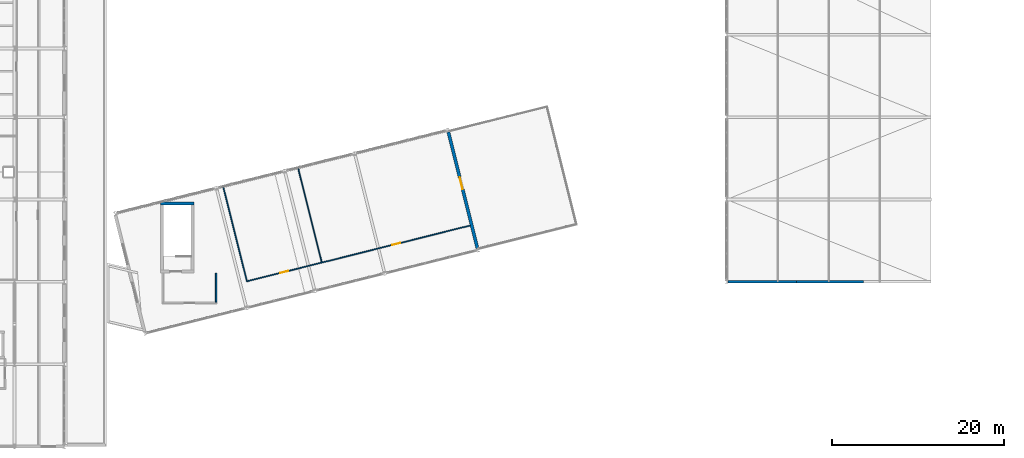
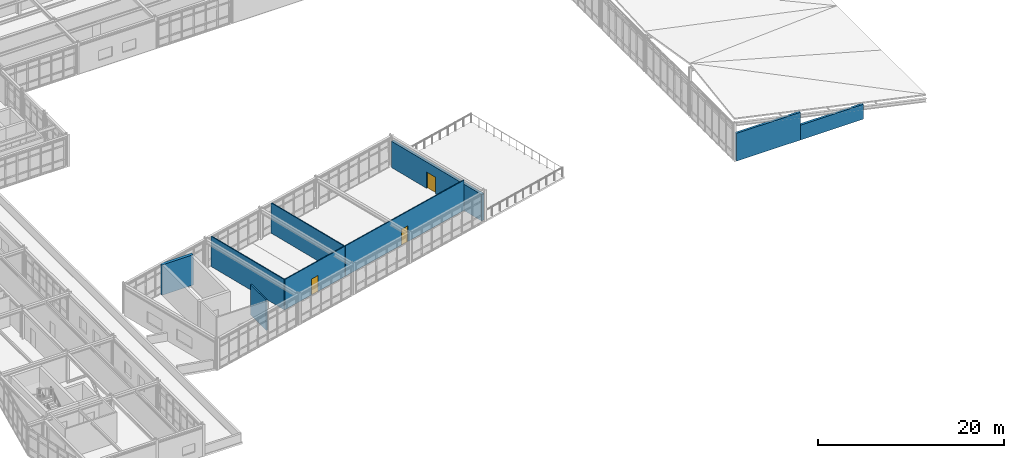
# One storey, part 55 of 64: 9 walls, 3 doors, 3 openings.
"""IFC4 building model written with IfcOpenShell, lengths in metres."""

import ifcopenshell
import ifcopenshell.guid

model = None  # the IFC model being written
_history = None  # IfcOwnerHistory: only IFC2X3 demands one
_inside = {}  # id of a spatial element -> (the spatial element, [elements in it])
_under = {}  # id of a project, library or spatial element -> (it, [spatial elements below it])
_declared = {}  # id of a project -> (the project, [libraries it declares])
_typed = {}  # id of a type object -> (the type object, [elements of that type])
_made_of = {}  # id of a material, layer set ... -> (it, [elements and type objects made of it])


def new_model(schema):
    """Start an empty IFC model of exactly this schema.

    Asked for "IFC4X3", IfcOpenShell would pick the latest addendum, in which some entities
    have other attributes; the version numbers below select the first issue.
    IFC2X3 requires an IfcOwnerHistory on every rooted entity: one is made here for all.
    """
    global model, _history
    if schema == "IFC4X3":
        model = ifcopenshell.file(schema_version=(4, 3, 0, 0))
    else:
        model = ifcopenshell.file(schema=schema)
    _inside.clear()
    _under.clear()
    _declared.clear()
    _typed.clear()
    _made_of.clear()
    _history = None
    if model.schema == "IFC2X3":
        org = make("IfcOrganization", Name="unknown")
        user = make(
            "IfcPersonAndOrganization",
            ThePerson=make("IfcPerson", FamilyName="unknown"),
            TheOrganization=org,
        )
        app = make(
            "IfcApplication",
            ApplicationDeveloper=org,
            Version="unknown",
            ApplicationFullName="unknown",
            ApplicationIdentifier="unknown",
        )
        _history = make(
            "IfcOwnerHistory",
            OwningUser=user,
            OwningApplication=app,
            ChangeAction="ADDED",
            CreationDate=0,
        )
    return model


def make(cls, **values):
    """One entity of the class cls with the attributes given. An attribute that is None is left unset."""
    return model.create_entity(
        cls, **{name: value for name, value in values.items() if value is not None}
    )


def rooted(cls, **values):
    """An entity with a GlobalId (a new one), such as an element, a storey or a relation."""
    return make(cls, GlobalId=ifcopenshell.guid.new(), OwnerHistory=_history, **values)


def si_unit(unit_type, name, prefix=None):
    """IfcSIUnit, for example si_unit("LENGTHUNIT", "METRE", prefix="MILLI")."""
    return make("IfcSIUnit", UnitType=unit_type, Prefix=prefix, Name=name)


def assignment(units):
    """IfcUnitAssignment: the units of a project."""
    return None if units is None else make("IfcUnitAssignment", Units=units)


def point(xyz):
    """IfcCartesianPoint."""
    return None if xyz is None else make("IfcCartesianPoint", Coordinates=xyz)


def direction(xyz):
    """IfcDirection."""
    return None if xyz is None else make("IfcDirection", DirectionRatios=xyz)


def frame(location, z_axis=None, x_axis=None):
    """IfcAxis2Placement3D, a coordinate frame: its origin and axes. An axis left out is left unset."""
    return make(
        "IfcAxis2Placement3D",
        Location=point(location),
        Axis=direction(z_axis),
        RefDirection=direction(x_axis),
    )


def frame_2d(location, x_axis=None):
    """IfcAxis2Placement2D, a coordinate frame in the plane: its origin and x axis."""
    return make(
        "IfcAxis2Placement2D", Location=point(location), RefDirection=direction(x_axis)
    )


def origin():
    """The frame at (0, 0, 0) with its axes left unset."""
    return frame((0.0, 0.0, 0.0))


def place(relative_to, where):
    """IfcLocalPlacement: puts the frame where relative to a parent placement (None: the world)."""
    return make(
        "IfcLocalPlacement", PlacementRelTo=relative_to, RelativePlacement=where
    )


def context(
    kind, dimensions, precision=None, world=None, true_north=None, identifier=None
):
    """IfcGeometricRepresentationContext, for example the 3D "Model" context."""
    return make(
        "IfcGeometricRepresentationContext",
        ContextIdentifier=identifier,
        ContextType=kind,
        CoordinateSpaceDimension=dimensions,
        Precision=precision,
        WorldCoordinateSystem=world,
        TrueNorth=true_north,
    )


def subcontext(parent, identifier, kind, view, scale=None):
    """IfcGeometricRepresentationSubContext, for example "Body" below "Model"."""
    return make(
        "IfcGeometricRepresentationSubContext",
        ContextIdentifier=identifier,
        ContextType=kind,
        ParentContext=parent,
        TargetScale=scale,
        TargetView=view,
    )


def project(units=None, contexts=None):
    """IfcProject with its units and contexts."""
    return rooted(
        "IfcProject",
        Name="project",
        RepresentationContexts=contexts,
        UnitsInContext=assignment(units),
    )


def spatial(cls, under=None, at=None, **own):
    """A site, building, storey or space (cls), placed at a placement, below another one or the project."""
    s = rooted(cls, ObjectPlacement=at, **own)
    if under is not None:
        _under.setdefault(under.id(), (under, []))[1].append(s)
    return s


def profile(cls, at=None, kind="AREA", **sizes):
    """A parametric profile (cls). Its sizes go by their IFC names, for example OverallWidth=200.0."""
    return make(cls, ProfileType=kind, Position=at, **sizes)


def rectangle(**sizes):
    """IfcRectangleProfileDef."""
    return profile("IfcRectangleProfileDef", **sizes)


def extrude(swept, where, along, depth):
    """IfcExtrudedAreaSolid: the profile swept, set in the frame where, extruded along a direction by depth."""
    return make(
        "IfcExtrudedAreaSolid",
        SweptArea=swept,
        Position=where,
        ExtrudedDirection=direction(along),
        Depth=depth,
    )


def shape(context_of_items, identifier, shape_type, items):
    """IfcShapeRepresentation: the items that make up one representation, for example the "Body"."""
    return make(
        "IfcShapeRepresentation",
        ContextOfItems=context_of_items,
        RepresentationIdentifier=identifier,
        RepresentationType=shape_type,
        Items=items,
    )


def material(Name=None, Category=None):
    """IfcMaterial."""
    return make("IfcMaterial", Name=Name, Category=Category)


def layer(
    of_material, thickness, ventilated=None, Name=None, Category=None, Priority=None
):
    """IfcMaterialLayer: one layer of a wall or slab, of a material (None: an air gap)."""
    return make(
        "IfcMaterialLayer",
        Material=of_material,
        LayerThickness=thickness,
        IsVentilated=ventilated,
        Name=Name,
        Category=Category,
        Priority=Priority,
    )


def layer_set(layers, Name=None):
    """IfcMaterialLayerSet."""
    return make("IfcMaterialLayerSet", MaterialLayers=layers, LayerSetName=Name)


def made_of(thing, what):
    """Note that an element or type object is made of a material, layer set ...; save() writes the relation."""
    if what is not None:
        _made_of.setdefault(what.id(), (what, []))[1].append(thing)
    return thing


def type_object(cls, material=None, **own):
    """A type object (cls), such as IfcWallType, which elements share."""
    return made_of(rooted(cls, **own), material)


def element(
    cls,
    number,
    at=None,
    inside=None,
    cuts=None,
    type_object=None,
    material=None,
    context=None,
    identifier="Body",
    shape_type=None,
    held_by="IfcProductDefinitionShape",
    body=None,
    shapes=None,
    **own,
):
    """One element of the class cls, such as IfcWall. Its Tag is "e" and its number.

    at: its placement. inside: the storey or other place that contains it. cuts: it is an
    opening in that element (IfcRelVoidsElement). A single representation is given by context,
    identifier, shape_type and body (its items); several are given by shapes. held_by: the class
    of the entity that holds the representations. save() writes the other relations.
    """
    e = rooted(cls, Tag="e%d" % number, ObjectPlacement=at, **own)
    if body is not None:
        shapes = [shape(context, identifier, shape_type, body)]
    if shapes is not None:
        e.Representation = make(held_by, Representations=shapes)
    if inside is not None:
        _inside.setdefault(inside.id(), (inside, []))[1].append(e)
    if cuts is not None:
        rooted(
            "IfcRelVoidsElement", RelatingBuildingElement=cuts, RelatedOpeningElement=e
        )
    if type_object is not None:
        _typed.setdefault(type_object.id(), (type_object, []))[1].append(e)
    return made_of(e, material)


def fill(opening, filler):
    """IfcRelFillsElement: the door or window that sits in an opening."""
    return rooted(
        "IfcRelFillsElement",
        RelatingOpeningElement=opening,
        RelatedBuildingElement=filler,
    )


def aggregate(whole, parts):
    """IfcRelAggregates: a whole, such as a stair, and the parts it consists of."""
    return rooted("IfcRelAggregates", RelatingObject=whole, RelatedObjects=parts)


def save(model, path):
    """Write the relations noted so far, then the file.

    IfcRelAggregates (storeys below a building ...), IfcRelContainedInSpatialStructure (elements
    in a storey), IfcRelDefinesByType, IfcRelAssociatesMaterial and IfcRelDeclares: one each for
    every whole, place, type object, material and project.
    """
    for whole, parts in _under.values():
        aggregate(whole, parts)
    for where, things in _inside.values():
        rooted(
            "IfcRelContainedInSpatialStructure",
            RelatedElements=things,
            RelatingStructure=where,
        )
    for kind, things in _typed.values():
        rooted("IfcRelDefinesByType", RelatedObjects=things, RelatingType=kind)
    for what, things in _made_of.values():
        rooted("IfcRelAssociatesMaterial", RelatedObjects=things, RelatingMaterial=what)
    for by, libraries in _declared.values():
        rooted("IfcRelDeclares", RelatingContext=by, RelatedDefinitions=libraries)
    model.write(path)


model = new_model("IFC4")

# Units and contexts
model_context = context("Model", 3, precision=1e-05, world=origin(), true_north=direction((0.0, 1.0)))
body_context = subcontext(model_context, "Body", "Model", "MODEL_VIEW")
ifc_project = project(units=[si_unit("LENGTHUNIT", "METRE"), si_unit("AREAUNIT", "SQUARE_METRE"), si_unit("VOLUMEUNIT", "CUBIC_METRE"), si_unit("PLANEANGLEUNIT", "RADIAN"), si_unit("MASSUNIT", "GRAM", prefix="KILO")], contexts=[model_context])

# Site, building, storey
site_placement = place(None, origin())
site = spatial("IfcSite", under=ifc_project, at=site_placement, CompositionType="ELEMENT")
building_placement = place(site_placement, origin())
building = spatial("IfcBuilding", under=site, at=building_placement, Name="Nordkorset Police Headquarters", CompositionType="ELEMENT")
storey_placement = place(building_placement, frame((0.0, 0.0, 17.85009765625)))
storey = spatial("IfcBuildingStorey", under=building, at=storey_placement, Name="L04", CompositionType="ELEMENT", Elevation=17.85009765625)

# Walls
ifc_material_1 = material(Name="Gypsum board", Category="gypsum")
ifc_layer_1 = layer(ifc_material_1, 0.179931640625, Name="Gypsum board")
ifc_layer_set_1 = layer_set([ifc_layer_1], Name="Gypsum board")
wall_type_1 = type_object("IfcWallType", Name="Wall_Comp_180", PredefinedType="PARTITIONING", material=ifc_layer_set_1)
wall_1_placement = place(storey_placement, frame((31.909912109375, 45.64990234375, 0.0), z_axis=(0.0, 0.0, 1.0), x_axis=(0.0, 1.0, 0.0)))
element("IfcWall", 1, at=wall_1_placement, inside=storey, type_object=wall_type_1, Name="Firefighting Lobby EI 60 Wall K7 L04 E", PredefinedType="PARTITIONING", context=body_context, shape_type="SweptSolid", body=[
    extrude(rectangle(XDim=3.375, YDim=0.179931640625, at=frame_2d((1.6875, 0.0))), origin(), (0.0, 0.0, 1.0), 3.989990234375),
])
ifc_material_2 = material(Name="Concrete C35/45", Category="concrete")
ifc_layer_2 = layer(ifc_material_2, 0.35009765625, Name="Concrete C35/45")
ifc_layer_set_2 = layer_set([ifc_layer_2], Name="Concrete C35/45")
wall_type_2 = type_object("IfcWallType", Name="Wall_CoreShear_350", PredefinedType="SHEAR", material=ifc_layer_set_2)
wall_2_placement = place(storey_placement, frame((25.425048828125, 57.14990234375, 0.0), z_axis=(0.0, 0.0, 1.0), x_axis=(1.0, 0.0, 0.0)))
element("IfcWall", 2, at=wall_2_placement, inside=storey, type_object=wall_type_2, Name="Core K7 Stair Shaft North Shear Wall L04", PredefinedType="SHEAR", context=body_context, shape_type="SweptSolid", body=[
    extrude(rectangle(XDim=3.89990234375, YDim=0.35009765625, at=frame_2d((1.949951171875, 0.0))), origin(), (0.0, 0.0, 1.0), 3.989990234375),
])

# Wall, opening, door
ifc_material_3 = material(Name="Precast concrete C40/50", Category="concrete")
ifc_layer_3 = layer(ifc_material_3, 0.360107421875, Name="Precast concrete C40/50")
ifc_layer_set_3 = layer_set([ifc_layer_3], Name="Precast concrete C40/50")
wall_type_3 = type_object("IfcWallType", Name="Wall_ExtPrecast_360", PredefinedType="SOLIDWALL", material=ifc_layer_set_3)
wall_3_placement = place(storey_placement, frame((62.356689453125, 51.8974609375, 0.0), z_axis=(0.0, 0.0, 1.0), x_axis=(-0.242535625036, 0.970142500145, 0.0)))
wall_3 = element("IfcWall", 3, at=wall_3_placement, inside=storey, type_object=wall_type_3, Name="Exterior Insulated Precast Wall L04 V4E-0", PredefinedType="SOLIDWALL", context=body_context, shape_type="SweptSolid", body=[
    extrude(rectangle(XDim=13.99609375, YDim=0.360107421875, at=frame_2d((6.998046875, 0.0))), origin(), (0.0, 0.0, 1.0), 3.4609375),
])
opening_1_placement = place(wall_3_placement, frame((7.117919921875, 0.0, 0.0)))
opening_1 = element("IfcOpeningElement", 4, at=opening_1_placement, cuts=wall_3, Name="Opening TD-02", PredefinedType="OPENING", context=body_context, shape_type="SweptSolid", body=[
    extrude(rectangle(XDim=1.39990234375, YDim=2.14990234375, at=frame_2d((0.699951171875, 1.074951171875))), frame((0.0, 0.18994140625, 0.0), z_axis=(0.0, -1.0, 0.0), x_axis=(1.0, 0.0, 0.0)), (0.0, 0.0, 1.0), 0.380126953125),
])
ifc_material_4 = material(Name="Aluminium alloy AW-6060", Category="aluminium")
door_type_1 = type_object("IfcDoorType", Name="ExtDoor_Terrace_1400x2150", OperationType="DOUBLE_DOOR_SINGLE_SWING", PredefinedType="DOOR", material=ifc_material_4)
door_1_placement = place(opening_1_placement, frame((1.39990234375, 0.0, 0.0), z_axis=(0.0, 0.0, 1.0), x_axis=(-1.0, 0.0, 0.0)))
door_1 = element("IfcDoor", 5, at=door_1_placement, inside=storey, type_object=door_type_1, Name="Splayed Wing Roof Terrace Access Door TD-02", OperationType="SINGLE_SWING_LEFT", OverallHeight=2.14990234375, OverallWidth=1.39990234375, PredefinedType="DOOR", context=body_context, shape_type="SweptSolid", body=[
    extrude(rectangle(XDim=1.39990234375, YDim=2.14990234375, at=frame_2d((0.699951171875, 1.074951171875))), frame((0.0, 0.02490234375, 0.0), z_axis=(0.0, -1.0, 0.0), x_axis=(1.0, 0.0, 0.0)), (0.0, 0.0, 1.0), 0.050048828125),
])
fill(opening_1, door_1)

# Walls
ifc_material_5 = material(Name="Precast concrete C40/50", Category="concrete")
ifc_layer_4 = layer(ifc_material_5, 0.280029296875, Name="Precast concrete C40/50")
ifc_layer_set_4 = layer_set([ifc_layer_4], Name="Precast concrete C40/50")
wall_type_4 = type_object("IfcWallType", Name="Wall_ExtSpandrel_280", PredefinedType="SOLIDWALL", material=ifc_layer_set_4)
wall_4_placement = place(storey_placement, frame((91.550048828125, 48.0, 0.0), z_axis=(0.0, 0.0, 1.0), x_axis=(1.0, 0.0, 0.0)))
element("IfcWall", 6, at=wall_4_placement, inside=storey, type_object=wall_type_4, Name="Exterior Insulated Precast Wall L04 V5MS-S-0", PredefinedType="SOLIDWALL", context=body_context, shape_type="SweptSolid", body=[
    extrude(rectangle(XDim=7.989990234375, YDim=0.280029296875, at=frame_2d((3.9951171875, 0.0))), origin(), (0.0, 0.0, 1.0), 3.64990234375),
])
wall_5_placement = place(storey_placement, frame((99.360107421875, 48.0, 0.0), z_axis=(0.0, 0.0, 1.0), x_axis=(1.0, 0.0, 0.0)))
element("IfcWall", 7, at=wall_5_placement, inside=storey, type_object=wall_type_4, Name="Exterior Insulated Precast Wall L04 V5MS-S-1", PredefinedType="SOLIDWALL", context=body_context, shape_type="SweptSolid", body=[
    extrude(rectangle(XDim=7.97998046875, YDim=0.280029296875, at=frame_2d((3.989990234375, 0.0))), origin(), (0.0, 0.0, 1.0), 1.949951171875),
])

# Wall, opening, door
ifc_material_6 = material(Name="Gypsum board", Category="gypsum")
ifc_layer_5 = layer(ifc_material_6, 0.1201171875, Name="Gypsum board")
ifc_layer_set_5 = layer_set([ifc_layer_5], Name="Gypsum board")
wall_type_5 = type_object("IfcWallType", Name="Wall_Part_120", PredefinedType="PARTITIONING", material=ifc_layer_set_5)
wall_6_placement = place(storey_placement, frame((35.484130859375, 48.0634765625, 0.0), z_axis=(0.0, 0.0, 1.0), x_axis=(0.970148882494, 0.242510094215, 0.0)))
wall_6 = element("IfcWall", 8, at=wall_6_placement, inside=storey, type_object=wall_type_5, Name="Interior Partition Wall Leadership Development Suite", PredefinedType="PARTITIONING", context=body_context, shape_type="SweptSolid", body=[
    extrude(rectangle(XDim=9.0, YDim=0.1201171875, at=frame_2d((4.5, 0.0))), origin(), (0.0, 0.0, 1.0), 3.989990234375),
])
opening_2_placement = place(wall_6_placement, frame((4.010009765625, 0.0, 0.0)))
opening_2 = element("IfcOpeningElement", 9, at=opening_2_placement, cuts=wall_6, Name="Opening DR-18", PredefinedType="OPENING", context=body_context, shape_type="SweptSolid", body=[
    extrude(rectangle(XDim=0.97998046875, YDim=2.10009765625, at=frame_2d((0.489990234375, 1.050048828125))), frame((0.0, 0.070068359375, 0.0), z_axis=(0.0, -1.0, 0.0), x_axis=(1.0, 0.0, 0.0)), (0.0, 0.0, 1.0), 0.14013671875),
])
ifc_material_7 = material(Name="Glulam GL30c", Category="wood")
door_type_2 = type_object("IfcDoorType", Name="Door_Office_980x2100", OperationType="NOTDEFINED", PredefinedType="DOOR", material=ifc_material_7)
door_2_placement = place(opening_2_placement, frame((0.97998046875, 0.0, 0.0), z_axis=(0.0, 0.0, 1.0), x_axis=(-1.0, 0.0, 0.0)))
door_2 = element("IfcDoor", 10, at=door_2_placement, inside=storey, type_object=door_type_2, Name="Interior Door Leadership Development Suite", OperationType="SINGLE_SWING_RIGHT", OverallHeight=2.10009765625, OverallWidth=0.97998046875, PredefinedType="DOOR", context=body_context, shape_type="SweptSolid", body=[
    extrude(rectangle(XDim=0.97998046875, YDim=2.10009765625, at=frame_2d((0.489990234375, 1.050048828125))), frame((0.0, 0.02490234375, 0.0), z_axis=(0.0, -1.0, 0.0), x_axis=(1.0, 0.0, 0.0)), (0.0, 0.0, 1.0), 0.050048828125),
])
fill(opening_2, door_2)

# Walls
wall_7_placement = place(storey_placement, frame((44.215576171875, 50.24609375, 0.0), z_axis=(0.0, 0.0, 1.0), x_axis=(-0.242540701841, 0.97014123093, 0.0)))
element("IfcWall", 11, at=wall_7_placement, inside=storey, type_object=wall_type_5, Name="Interior Partition Wall Leadership Development Suite", PredefinedType="PARTITIONING", context=body_context, shape_type="SweptSolid", body=[
    extrude(rectangle(XDim=11.315185546875, YDim=0.1201171875, at=frame_2d((5.65771484375, 0.0))), origin(), (0.0, 0.0, 1.0), 3.989990234375),
])
wall_8_placement = place(storey_placement, frame((32.739990234375, 59.04052734375, 0.0), z_axis=(0.0, 0.0, 1.0), x_axis=(0.242525471141, -0.970145038563, 0.0)))
element("IfcWall", 12, at=wall_8_placement, inside=storey, type_object=wall_type_5, Name="Interior Partition Wall Leadership Development Suite", PredefinedType="PARTITIONING", context=body_context, shape_type="SweptSolid", body=[
    extrude(rectangle(XDim=11.31494140625, YDim=0.1201171875, at=frame_2d((5.657470703125, 0.0))), origin(), (0.0, 0.0, 1.0), 3.989990234375),
])

# Wall, opening, door
wall_9_placement = place(storey_placement, frame((44.268798828125, 50.259521484375, 0.0), z_axis=(0.0, 0.0, 1.0), x_axis=(0.970143308309, 0.242532392358, 0.0)))
wall_9 = element("IfcWall", 13, at=wall_9_placement, inside=storey, type_object=wall_type_5, Name="Interior Partition Wall Courtyard Terrace Reading Room", PredefinedType="PARTITIONING", context=body_context, shape_type="SweptSolid", body=[
    extrude(rectangle(XDim=17.77001953125, YDim=0.1201171875, at=frame_2d((8.885009765625, 0.0))), origin(), (0.0, 0.0, 1.0), 3.989990234375),
])
opening_3_placement = place(wall_9_placement, frame((8.405029296875, 0.0, 0.0)))
opening_3 = element("IfcOpeningElement", 14, at=opening_3_placement, cuts=wall_9, Name="Opening DR-08", PredefinedType="OPENING", context=body_context, shape_type="SweptSolid", body=[
    extrude(rectangle(XDim=0.9599609375, YDim=2.080078125, at=frame_2d((0.47998046875, 1.0400390625))), frame((0.0, 0.070068359375, 0.0), z_axis=(0.0, -1.0, 0.0), x_axis=(1.0, 0.0, 0.0)), (0.0, 0.0, 1.0), 0.14013671875),
])
ifc_material_8 = material(Name="Glulam GL30c", Category="wood")
door_type_3 = type_object("IfcDoorType", Name="Door_Welfare_960x2080", OperationType="NOTDEFINED", PredefinedType="DOOR", material=ifc_material_8)
door_3_placement = place(opening_3_placement, origin())
door_3 = element("IfcDoor", 15, at=door_3_placement, inside=storey, type_object=door_type_3, Name="Interior Door Courtyard Terrace Reading Room", OperationType="SINGLE_SWING_LEFT", OverallHeight=2.080078125, OverallWidth=0.9599609375, PredefinedType="DOOR", context=body_context, shape_type="SweptSolid", body=[
    extrude(rectangle(XDim=0.9599609375, YDim=2.080078125, at=frame_2d((0.47998046875, 1.0400390625))), frame((0.0, 0.02490234375, 0.0), z_axis=(0.0, -1.0, 0.0), x_axis=(1.0, 0.0, 0.0)), (0.0, 0.0, 1.0), 0.050048828125),
])
fill(opening_3, door_3)

save(model, "model.ifc")
